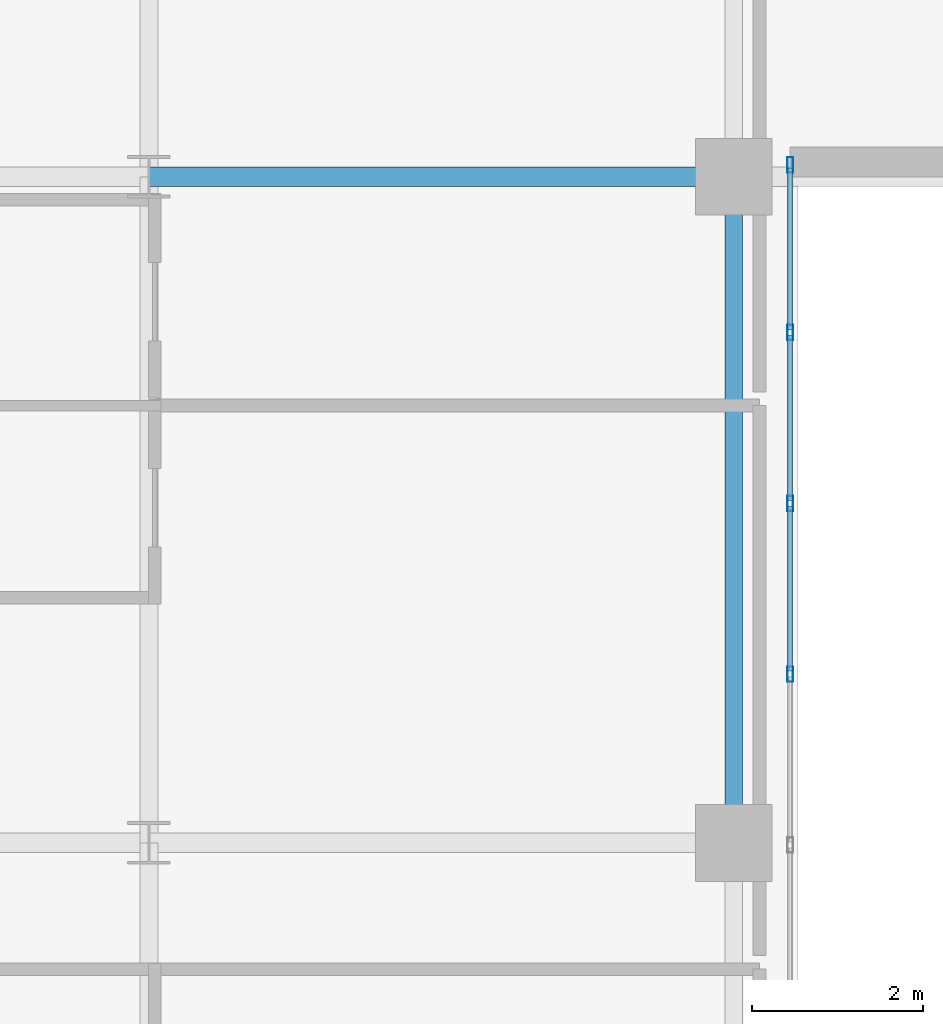
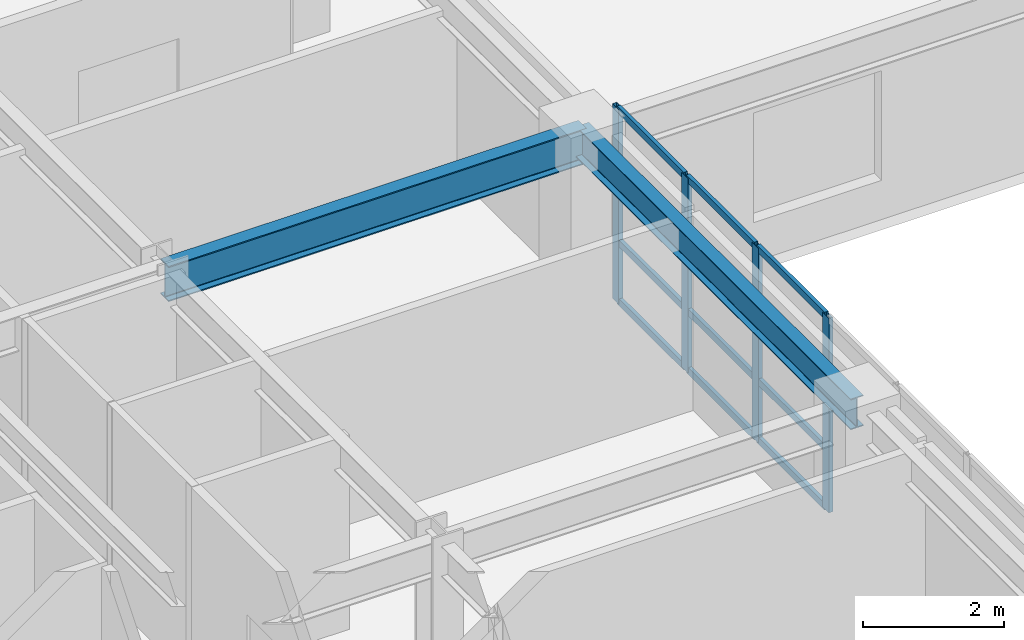
# One storey, part 3 of 17: 13 members, 2 beams, 1 element without a shape of its own.
"""IFC4 building model written with IfcOpenShell, lengths in metres."""

from ifc_helpers import new_model, si_unit, direction, frame, origin, origin_2d, place, context, subcontext, project, spatial, hollow_rectangle, i_section, extrude, source, transform, mapped, material, layer, layer_set, material_profile, profile_set, type_object, type_shapes, element, aggregate, save


model = new_model("IFC4")

# Units and contexts
model_context = context("Model", 3, precision=1e-05, world=origin(), true_north=direction((0.0, 1.0)))
body_context = subcontext(model_context, "Body", "Model", "MODEL_VIEW")
ifc_project = project(units=[si_unit("LENGTHUNIT", "METRE"), si_unit("AREAUNIT", "SQUARE_METRE"), si_unit("VOLUMEUNIT", "CUBIC_METRE"), si_unit("PLANEANGLEUNIT", "RADIAN"), si_unit("MASSUNIT", "GRAM", prefix="KILO")], contexts=[model_context])

# Site, building, storey
site_placement = place(None, origin())
site = spatial("IfcSite", under=ifc_project, at=site_placement, CompositionType="ELEMENT")
building_placement = place(site_placement, origin())
building = spatial("IfcBuilding", under=site, at=building_placement, Name="Tolvann Quenvar Hotel", CompositionType="ELEMENT")
storey_placement = place(building_placement, frame((0.0, 0.0, 129.300048828125)))
storey = spatial("IfcBuildingStorey", under=building, at=storey_placement, Name="L33", CompositionType="ELEMENT", Elevation=129.300048828125)

# Beams
ifc_material_1 = material(Name="Steel Grade 350", Category="steel")
ifc_material_profile_1 = material_profile(ifc_material_1, i_section(OverallWidth=0.22900390625, OverallDepth=0.612060546875, WebThickness=0.011962890625, FlangeThickness=0.01953125, FilletRadius=0.013916015625, at=origin_2d()), Name="610UB125")
ifc_profile_set_1 = profile_set([ifc_material_profile_1], Name="Steel Grade 350")
beam_type_1 = type_object("IfcBeamType", Name="BM_GIRD_610UB125", PredefinedType="BEAM", material=ifc_profile_set_1)
shared_shape_1 = source(origin(), body_context, "Body", "SweptSolid", [
    extrude(i_section(OverallWidth=0.22900390625, OverallDepth=0.612060546875, WebThickness=0.011962890625, FlangeThickness=0.01953125, FilletRadius=0.013916015625, at=origin_2d()), origin(), (0.0, 0.0, 1.0), 6.85009765625),
])
type_shapes(beam_type_1, [shared_shape_1])
beam_1_placement = place(storey_placement, frame((15.199951171875, 16.0, 3.06396484375), z_axis=(1.0, 0.0, 0.0), x_axis=(0.0, 1.0, 0.0)))
element("IfcBeam", 1, at=beam_1_placement, inside=storey, type_object=beam_type_1, Name="BM-L33-EW-4-D4-E4", PredefinedType="BEAM", context=body_context, shape_type="MappedRepresentation", body=[
    mapped(shared_shape_1, transform((0.0, 0.0, 0.0), x_axis=(1.0, 0.0, 0.0), y_axis=(0.0, 1.0, 0.0), z_axis=(0.0, 0.0, 1.0), scale=1.0)),
])
ifc_material_profile_2 = material_profile(ifc_material_1, i_section(OverallWidth=0.208984375, OverallDepth=0.532958984375, WebThickness=0.01025390625, FlangeThickness=0.015625, FilletRadius=0.013916015625, at=origin_2d()), Name="530UB92")
ifc_profile_set_2 = profile_set([ifc_material_profile_2], Name="Steel Grade 350")
beam_type_2 = type_object("IfcBeamType", Name="BM_GIRD_530UB92", PredefinedType="BEAM", material=ifc_profile_set_2)
shared_shape_2 = source(origin(), body_context, "Body", "SweptSolid", [
    extrude(i_section(OverallWidth=0.208984375, OverallDepth=0.532958984375, WebThickness=0.01025390625, FlangeThickness=0.015625, FilletRadius=0.013916015625, at=origin_2d()), origin(), (0.0, 0.0, 1.0), 7.800048828125),
])
type_shapes(beam_type_2, [shared_shape_2])
beam_2_placement = place(storey_placement, frame((22.050048828125, 8.199951171875, 3.103515625), z_axis=(0.0, 1.0, 0.0), x_axis=(-1.0, 0.0, 0.0)))
element("IfcBeam", 2, at=beam_2_placement, inside=storey, type_object=beam_type_2, Name="BM-L33-NS-E3-E4", PredefinedType="BEAM", context=body_context, shape_type="MappedRepresentation", body=[
    mapped(shared_shape_2, transform((0.0, 0.0, 0.0), x_axis=(1.0, 0.0, 0.0), y_axis=(0.0, 1.0, 0.0), z_axis=(0.0, 0.0, 1.0), scale=1.0)),
])

# Curtain wall, members
ifc_material_2 = material(Name="Thermally broken anodised architectural aluminium 6063-T6 and laminated low-E glass", Category="aluminium")
ifc_layer = layer(ifc_material_2, 0.179931640625)
ifc_layer_set = layer_set([ifc_layer], Name="Thermally broken anodised architectural aluminium 6063-T6 and laminated low-E glass")
curtain_wall_type = type_object("IfcCurtainWallType", Name="CW_SYS_SLOT_03", PredefinedType="USERDEFINED", material=ifc_layer_set)
curtain_wall_placement = place(storey_placement, origin())
curtain_wall = element("IfcCurtainWall", 3, at=curtain_wall_placement, inside=storey, type_object=curtain_wall_type, Name="Curtain Wall CW-SLOT-03 (CWR-L33-E05)", ObjectType="UNITISED CURTAIN WALL", PredefinedType="USERDEFINED")
ifc_material_3 = material(Name="Anodised architectural aluminium 6063-T6 framing", Category="aluminium")
ifc_material_profile_3 = material_profile(ifc_material_3, hollow_rectangle(XDim=0.06005859375, YDim=0.1201171875, WallThickness=0.00341796875, at=origin_2d()), Name="120x60x3.5RHS")
ifc_profile_set_3 = profile_set([ifc_material_profile_3], Name="Anodised architectural aluminium 6063-T6 framing")
member_type_1 = type_object("IfcMemberType", Name="CW_TRAN_120x60", PredefinedType="USERDEFINED", material=ifc_profile_set_3)
shared_shape_3 = source(origin(), body_context, "Body", "SweptSolid", [
    extrude(hollow_rectangle(XDim=0.06005859375, YDim=0.1201171875, WallThickness=0.00341796875, at=origin_2d()), origin(), (0.0, 0.0, 1.0), 1.929931640625),
])
member_1_placement = place(storey_placement, frame((22.7099609375, 10.2099609375, 0.030029296875), z_axis=(0.0, 1.0, 0.0), x_axis=(-1.0, 0.0, 0.0)))
member_1 = element("IfcMember", 4, at=member_1_placement, type_object=member_type_1, Name="CW-SLOT-03 transom 6.1", ObjectType="TRANSOM", PredefinedType="USERDEFINED", context=body_context, shape_type="MappedRepresentation", body=[
    mapped(shared_shape_3, transform((0.0, 0.0, 0.0), x_axis=(1.0, 0.0, 0.0), y_axis=(0.0, 1.0, 0.0), z_axis=(0.0, 0.0, 1.0), scale=1.0)),
])
member_2_placement = place(storey_placement, frame((22.7099609375, 10.2099609375, 1.050048828125), z_axis=(0.0, 1.0, 0.0), x_axis=(-1.0, 0.0, 0.0)))
member_2 = element("IfcMember", 5, at=member_2_placement, type_object=member_type_1, Name="CW-SLOT-03 transom 6.2", ObjectType="TRANSOM", PredefinedType="USERDEFINED", context=body_context, shape_type="MappedRepresentation", body=[
    mapped(shared_shape_3, transform((0.0, 0.0, 0.0), x_axis=(1.0, 0.0, 0.0), y_axis=(0.0, 1.0, 0.0), z_axis=(0.0, 0.0, 1.0), scale=1.0)),
])
member_3_placement = place(storey_placement, frame((22.7099609375, 10.2099609375, 3.33984375), z_axis=(0.0, 1.0, 0.0), x_axis=(-1.0, 0.0, 0.0)))
member_3 = element("IfcMember", 6, at=member_3_placement, type_object=member_type_1, Name="CW-SLOT-03 transom 6.3", ObjectType="TRANSOM", PredefinedType="USERDEFINED", context=body_context, shape_type="MappedRepresentation", body=[
    mapped(shared_shape_3, transform((0.0, 0.0, 0.0), x_axis=(1.0, 0.0, 0.0), y_axis=(0.0, 1.0, 0.0), z_axis=(0.0, 0.0, 1.0), scale=1.0)),
])
member_4_placement = place(storey_placement, frame((22.7099609375, 12.2099609375, 0.030029296875), z_axis=(0.0, 1.0, 0.0), x_axis=(-1.0, 0.0, 0.0)))
member_4 = element("IfcMember", 7, at=member_4_placement, type_object=member_type_1, Name="CW-SLOT-03 transom 7.1", ObjectType="TRANSOM", PredefinedType="USERDEFINED", context=body_context, shape_type="MappedRepresentation", body=[
    mapped(shared_shape_3, transform((0.0, 0.0, 0.0), x_axis=(1.0, 0.0, 0.0), y_axis=(0.0, 1.0, 0.0), z_axis=(0.0, 0.0, 1.0), scale=1.0)),
])
member_5_placement = place(storey_placement, frame((22.7099609375, 12.2099609375, 1.050048828125), z_axis=(0.0, 1.0, 0.0), x_axis=(-1.0, 0.0, 0.0)))
member_5 = element("IfcMember", 8, at=member_5_placement, type_object=member_type_1, Name="CW-SLOT-03 transom 7.2", ObjectType="TRANSOM", PredefinedType="USERDEFINED", context=body_context, shape_type="MappedRepresentation", body=[
    mapped(shared_shape_3, transform((0.0, 0.0, 0.0), x_axis=(1.0, 0.0, 0.0), y_axis=(0.0, 1.0, 0.0), z_axis=(0.0, 0.0, 1.0), scale=1.0)),
])
member_6_placement = place(storey_placement, frame((22.7099609375, 12.2099609375, 3.33984375), z_axis=(0.0, 1.0, 0.0), x_axis=(-1.0, 0.0, 0.0)))
member_6 = element("IfcMember", 9, at=member_6_placement, type_object=member_type_1, Name="CW-SLOT-03 transom 7.3", ObjectType="TRANSOM", PredefinedType="USERDEFINED", context=body_context, shape_type="MappedRepresentation", body=[
    mapped(shared_shape_3, transform((0.0, 0.0, 0.0), x_axis=(1.0, 0.0, 0.0), y_axis=(0.0, 1.0, 0.0), z_axis=(0.0, 0.0, 1.0), scale=1.0)),
])
shared_shape_4 = source(origin(), body_context, "Body", "SweptSolid", [
    extrude(hollow_rectangle(XDim=0.06005859375, YDim=0.1201171875, WallThickness=0.00341796875, at=origin_2d()), origin(), (0.0, 0.0, 1.0), 1.89501953125),
])
type_shapes(member_type_1, [shared_shape_3, shared_shape_4])
member_7_placement = place(storey_placement, frame((22.7099609375, 14.2099609375, 0.030029296875), z_axis=(0.0, 1.0, 0.0), x_axis=(-1.0, 0.0, 0.0)))
member_7 = element("IfcMember", 10, at=member_7_placement, type_object=member_type_1, Name="CW-SLOT-03 transom 8.1", ObjectType="TRANSOM", PredefinedType="USERDEFINED", context=body_context, shape_type="MappedRepresentation", body=[
    mapped(shared_shape_4, transform((0.0, 0.0, 0.0), x_axis=(1.0, 0.0, 0.0), y_axis=(0.0, 1.0, 0.0), z_axis=(0.0, 0.0, 1.0), scale=1.0)),
])
member_8_placement = place(storey_placement, frame((22.7099609375, 14.2099609375, 1.050048828125), z_axis=(0.0, 1.0, 0.0), x_axis=(-1.0, 0.0, 0.0)))
member_8 = element("IfcMember", 11, at=member_8_placement, type_object=member_type_1, Name="CW-SLOT-03 transom 8.2", ObjectType="TRANSOM", PredefinedType="USERDEFINED", context=body_context, shape_type="MappedRepresentation", body=[
    mapped(shared_shape_4, transform((0.0, 0.0, 0.0), x_axis=(1.0, 0.0, 0.0), y_axis=(0.0, 1.0, 0.0), z_axis=(0.0, 0.0, 1.0), scale=1.0)),
])
member_9_placement = place(storey_placement, frame((22.7099609375, 14.2099609375, 3.33984375), z_axis=(0.0, 1.0, 0.0), x_axis=(-1.0, 0.0, 0.0)))
member_9 = element("IfcMember", 12, at=member_9_placement, type_object=member_type_1, Name="CW-SLOT-03 transom 8.3", ObjectType="TRANSOM", PredefinedType="USERDEFINED", context=body_context, shape_type="MappedRepresentation", body=[
    mapped(shared_shape_4, transform((0.0, 0.0, 0.0), x_axis=(1.0, 0.0, 0.0), y_axis=(0.0, 1.0, 0.0), z_axis=(0.0, 0.0, 1.0), scale=1.0)),
])
ifc_material_profile_4 = material_profile(ifc_material_3, hollow_rectangle(XDim=0.070068359375, YDim=0.179931640625, WallThickness=0.00390625, at=origin_2d()), Name="180x70x4RHS")
ifc_profile_set_4 = profile_set([ifc_material_profile_4], Name="Anodised architectural aluminium 6063-T6 framing")
member_type_2 = type_object("IfcMemberType", Name="CW_MULL_180x70", PredefinedType="MULLION", material=ifc_profile_set_4)
shared_shape_5 = source(origin(), body_context, "Body", "SweptSolid", [
    extrude(hollow_rectangle(XDim=0.070068359375, YDim=0.179931640625, WallThickness=0.00390625, at=origin_2d()), origin(), (0.0, 0.0, 1.0), 3.369873046875),
])
type_shapes(member_type_2, [shared_shape_5])
member_10_placement = place(storey_placement, frame((22.7099609375, 10.175048828125, 0.0), z_axis=(0.0, 0.0, 1.0), x_axis=(-1.0, 0.0, 0.0)))
member_10 = element("IfcMember", 13, at=member_10_placement, type_object=member_type_2, Name="CW-SLOT-03 mullion 6", PredefinedType="MULLION", context=body_context, shape_type="MappedRepresentation", body=[
    mapped(shared_shape_5, transform((0.0, 0.0, 0.0), x_axis=(1.0, 0.0, 0.0), y_axis=(0.0, 1.0, 0.0), z_axis=(0.0, 0.0, 1.0), scale=1.0)),
])
member_11_placement = place(storey_placement, frame((22.7099609375, 12.175048828125, 0.0), z_axis=(0.0, 0.0, 1.0), x_axis=(-1.0, 0.0, 0.0)))
member_11 = element("IfcMember", 14, at=member_11_placement, type_object=member_type_2, Name="CW-SLOT-03 mullion 7", PredefinedType="MULLION", context=body_context, shape_type="MappedRepresentation", body=[
    mapped(shared_shape_5, transform((0.0, 0.0, 0.0), x_axis=(1.0, 0.0, 0.0), y_axis=(0.0, 1.0, 0.0), z_axis=(0.0, 0.0, 1.0), scale=1.0)),
])
member_12_placement = place(storey_placement, frame((22.7099609375, 14.175048828125, 0.0), z_axis=(0.0, 0.0, 1.0), x_axis=(-1.0, 0.0, 0.0)))
member_12 = element("IfcMember", 15, at=member_12_placement, type_object=member_type_2, Name="CW-SLOT-03 mullion 8", PredefinedType="MULLION", context=body_context, shape_type="MappedRepresentation", body=[
    mapped(shared_shape_5, transform((0.0, 0.0, 0.0), x_axis=(1.0, 0.0, 0.0), y_axis=(0.0, 1.0, 0.0), z_axis=(0.0, 0.0, 1.0), scale=1.0)),
])
member_13_placement = place(storey_placement, frame((22.7099609375, 16.139892578125, 0.0), z_axis=(0.0, 0.0, 1.0), x_axis=(-1.0, 0.0, 0.0)))
member_13 = element("IfcMember", 16, at=member_13_placement, type_object=member_type_2, Name="CW-SLOT-03 mullion 9", PredefinedType="MULLION", context=body_context, shape_type="MappedRepresentation", body=[
    mapped(shared_shape_5, transform((0.0, 0.0, 0.0), x_axis=(1.0, 0.0, 0.0), y_axis=(0.0, 1.0, 0.0), z_axis=(0.0, 0.0, 1.0), scale=1.0)),
])
aggregate(curtain_wall, [member_10, member_11, member_12, member_13, member_1, member_2, member_3, member_4, member_5, member_6, member_7, member_8, member_9])

save(model, "model.ifc")
